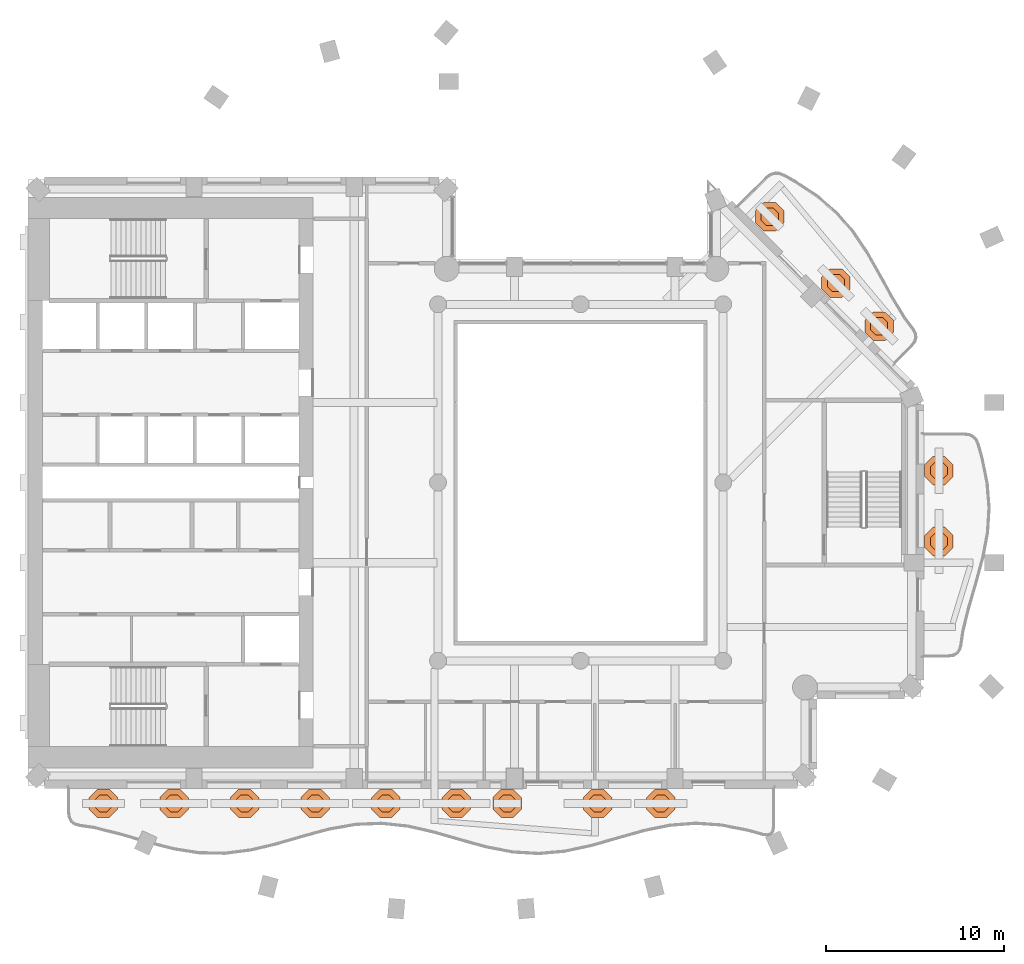
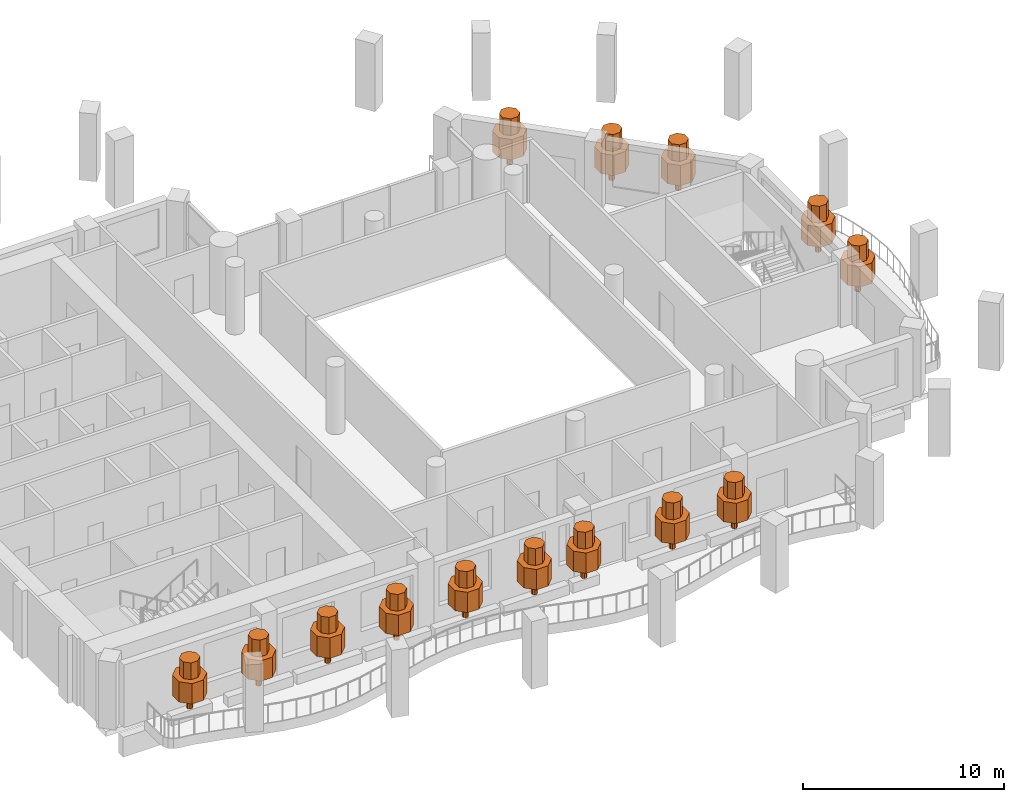
# One storey, part 15 of 15: 14 geographic elements.
"""IFC4 building model written with IfcOpenShell, lengths in metres."""

from ifc_helpers import new_model, si_unit, direction, frame, origin, place, context, subcontext, project, spatial, polyline, outline, extrude, material, type_object, element, save


model = new_model("IFC4")

# Units and contexts
model_context = context("Model", 3, precision=1e-05, world=origin(), true_north=direction((0.0, 1.0)))
body_context = subcontext(model_context, "Body", "Model", "MODEL_VIEW")
ifc_project = project(units=[si_unit("LENGTHUNIT", "METRE"), si_unit("AREAUNIT", "SQUARE_METRE"), si_unit("VOLUMEUNIT", "CUBIC_METRE"), si_unit("PLANEANGLEUNIT", "RADIAN"), si_unit("MASSUNIT", "GRAM", prefix="KILO")], contexts=[model_context])

# Site, building, storey
site_placement = place(None, origin())
site = spatial("IfcSite", under=ifc_project, at=site_placement, CompositionType="ELEMENT")
building_placement = place(site_placement, origin())
building = spatial("IfcBuilding", under=site, at=building_placement, Name="Cypress Arch Tower", CompositionType="ELEMENT")
storey_placement = place(building_placement, frame((0.0, 0.0, 234.300048828125)))
storey = spatial("IfcBuildingStorey", under=building, at=storey_placement, Name="L52", CompositionType="ELEMENT", Elevation=234.300048828125)

# Geographic elements
ifc_material = material(Name="Foliage and planting")
geographic_element_type = type_object("IfcGeographicElementType", Name="Balcony tree TR", PredefinedType="USERDEFINED", material=ifc_material)
for number, where, z_axis, x_axis, name in (
    (1, (-25.77001953125, -18.0, 0.599853515625), (0.0, 0.0, 1.0), (1.0, 0.0, 0.0), "Balcony tree L52-B01.1"),
    (2, (-21.81005859375, -18.0, 0.599853515625), (0.0, 0.0, 1.0), (1.0, 0.0, 0.0), "Balcony tree L52-B01.2"),
    (3, (-17.85009765625, -18.0, 0.599853515625), (0.0, 0.0, 1.0), (1.0, 0.0, 0.0), "Balcony tree L52-B01.3"),
    (4, (-13.889892578125, -18.0, 0.599853515625), (0.0, 0.0, 1.0), (1.0, 0.0, 0.0), "Balcony tree L52-B01.4"),
    (5, (-9.929931640625, -18.0, 0.599853515625), (0.0, 0.0, 1.0), (1.0, 0.0, 0.0), "Balcony tree L52-B01.5"),
    (6, (-5.969970703125, -18.0, 0.599853515625), (0.0, 0.0, 1.0), (1.0, 0.0, 0.0), "Balcony tree L52-B01.6"),
    (7, (-3.1201171875, -18.0, 0.599853515625), (0.0, 0.0, 1.0), (1.0, 0.0, 0.0), "Balcony tree L52-B01.7"),
    (8, (1.949951171875, -18.0, 0.599853515625), (0.0, 0.0, 1.0), (1.0, 0.0, 0.0), "Balcony tree L52-B01.8"),
    (9, (5.50244140625, -18.0, 0.599853515625), (0.0, 0.0, 1.0), (1.0, 0.0, 0.0), "Balcony tree L52-B01.9"),
    (10, (21.10009765625, -3.308349609375, 0.599853515625), (0.0, 0.0, 1.0), (1.0, 0.0, 0.0), "Balcony tree L52-B04.1"),
    (11, (21.10009765625, 0.666748046875, 0.599853515625), (0.0, 0.0, 1.0), (1.0, 0.0, 0.0), "Balcony tree L52-B04.2"),
    (12, (17.746337890625, 8.767822265625, 0.599853515625), (0.0, 0.0, 1.0), (1.0, 0.0, 0.0), "Balcony tree L52-B05.1"),
    (13, (15.324462890625, 11.189697265625, 0.599853515625), (0.0, 0.0, 1.0), (1.0, 0.0, 0.0), "Balcony tree L52-B05.2"),
    (14, (11.607177734375, 14.906982421875, 0.599853515625), (0.0, 0.0, 1.0), (1.0, 0.0, 0.0), "Balcony tree L52-B05.3"),
):
    element("IfcGeographicElement", number, at=place(storey_placement, frame(where, z_axis=z_axis, x_axis=x_axis)), inside=storey, type_object=geographic_element_type, Name=name, ObjectType="TREE", PredefinedType="USERDEFINED", context=body_context, shape_type="SweptSolid", body=[
        extrude(outline(polyline([(0.14990234375, 0.06201171875), (0.06201171875, 0.14990234375), (-0.06201171875, 0.14990234375), (-0.14990234375, 0.06201171875), (-0.14990234375, -0.06201171875), (-0.06201171875, -0.14990234375), (0.06201171875, -0.14990234375), (0.14990234375, -0.06201171875), (0.14990234375, 0.06201171875)])), origin(), (0.0, 0.0, 1.0), 0.89990234375),
        extrude(outline(polyline([(0.800048828125, 0.331298828125), (0.331298828125, 0.800048828125), (-0.331298828125, 0.800048828125), (-0.800048828125, 0.331298828125), (-0.800048828125, -0.331298828125), (-0.331298828125, -0.800048828125), (0.331298828125, -0.800048828125), (0.800048828125, -0.331298828125), (0.800048828125, 0.331298828125)])), frame((0.0, 0.0, 0.800048828125)), (0.0, 0.0, 1.0), 1.237548828125),
        extrude(outline(polyline([(0.47998046875, 0.19873046875), (0.19873046875, 0.47998046875), (-0.19873046875, 0.47998046875), (-0.47998046875, 0.19873046875), (-0.47998046875, -0.19873046875), (-0.19873046875, -0.47998046875), (0.19873046875, -0.47998046875), (0.47998046875, -0.19873046875), (0.47998046875, 0.19873046875)])), frame((0.0, 0.0, 2.03759765625)), (0.0, 0.0, 1.0), 1.012451171875),
    ])

save(model, "model.ifc")
